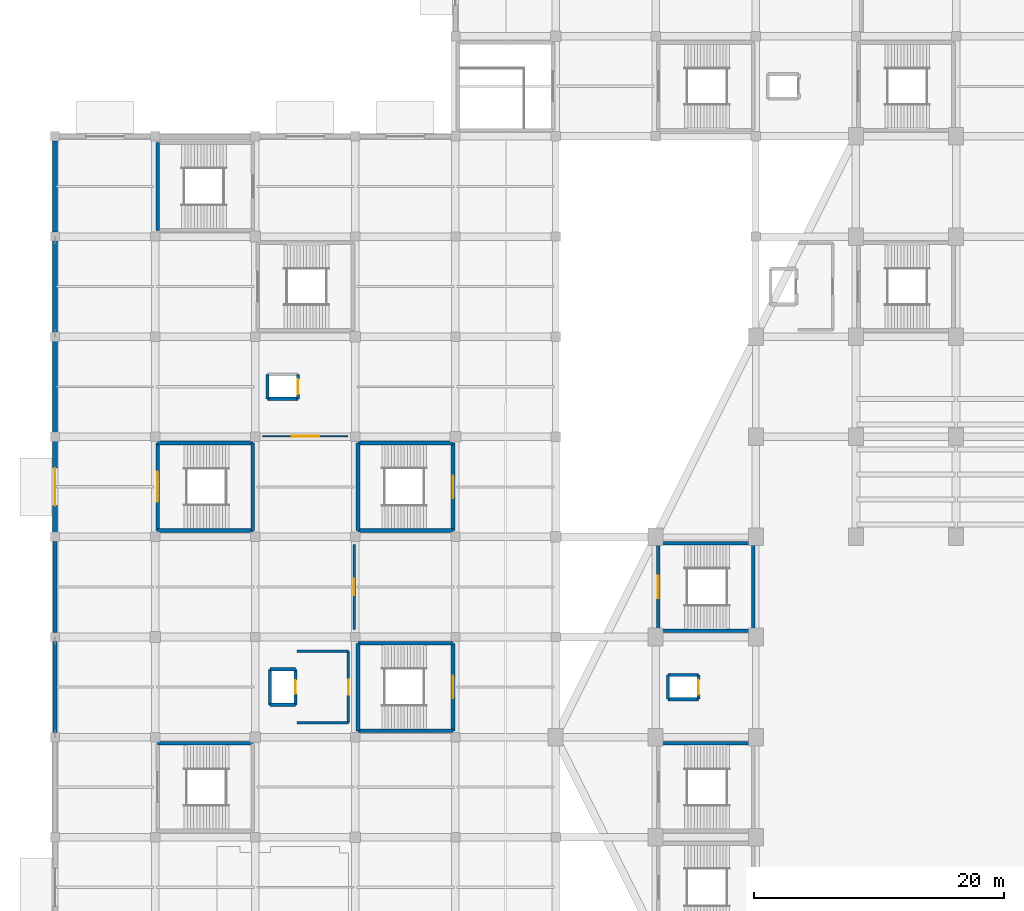
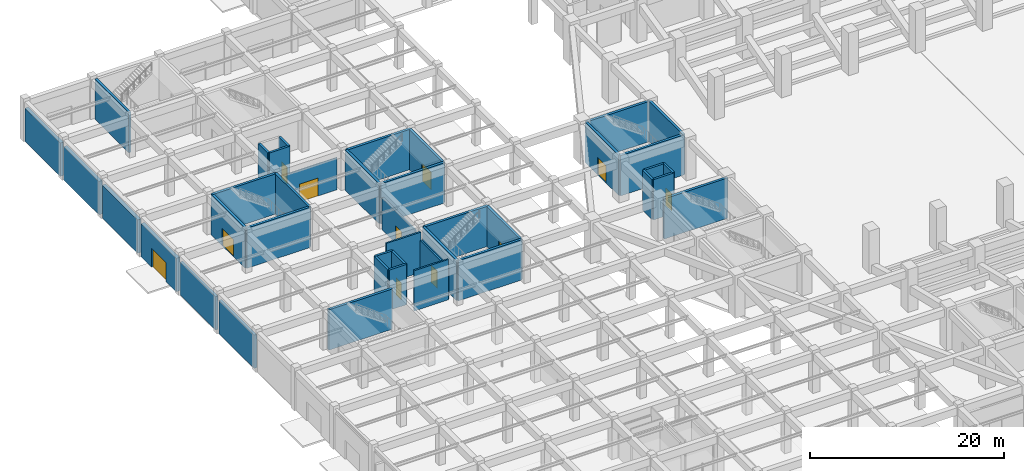
# One storey, part 26 of 39: 41 walls, 11 doors, 11 openings.
"""IFC4 building model written with IfcOpenShell, lengths in metres."""

from ifc_helpers import new_model, si_unit, direction, frame, frame_2d, origin, place, context, subcontext, project, spatial, rectangle, extrude, material, layer, layer_set, type_object, element, fill, save


model = new_model("IFC4")

# Units and contexts
model_context = context("Model", 3, precision=1e-05, world=origin(), true_north=direction((0.0, 1.0)))
body_context = subcontext(model_context, "Body", "Model", "MODEL_VIEW")
ifc_project = project(units=[si_unit("LENGTHUNIT", "METRE"), si_unit("AREAUNIT", "SQUARE_METRE"), si_unit("VOLUMEUNIT", "CUBIC_METRE"), si_unit("PLANEANGLEUNIT", "RADIAN"), si_unit("MASSUNIT", "GRAM", prefix="KILO")], contexts=[model_context])

# Site, building, storey
site_placement = place(None, origin())
site = spatial("IfcSite", under=ifc_project, at=site_placement, CompositionType="ELEMENT")
building_placement = place(site_placement, origin())
building = spatial("IfcBuilding", under=site, at=building_placement, Name="Tazarka Park Arena", CompositionType="ELEMENT")
storey_placement = place(building_placement, origin())
storey = spatial("IfcBuildingStorey", under=building, at=storey_placement, Name="L00", CompositionType="ELEMENT", Elevation=0.0)

# Walls
ifc_material_1 = material(Name="Concrete C40/50", Category="concrete")
ifc_layer_1 = layer(ifc_material_1, 0.300048828125, Name="Concrete C40/50")
ifc_layer_set_1 = layer_set([ifc_layer_1], Name="Concrete C40/50")
wall_type_1 = type_object("IfcWallType", Name="IWAL-CW-S1", PredefinedType="SHEAR", material=ifc_layer_set_1)
for number, where, z_axis, x_axis, name in (
    (1, (8.199951171875, 63.5, 0.0), (0.0, 0.0, 1.0), (1.0, 0.0, 0.0), "SCW-L00-ST01-N"),
    (2, (15.800048828125, 80.5, 0.0), (0.0, 0.0, 1.0), (-1.0, 0.0, 0.0), "SCW-L00-ST02-S"),
):
    element("IfcWall", number, at=place(storey_placement, frame(where, z_axis=z_axis, x_axis=x_axis)), inside=storey, type_object=wall_type_1, Name=name, PredefinedType="SHEAR", context=body_context, shape_type="SweptSolid", body=[
        extrude(rectangle(XDim=7.60009765625, YDim=0.300048828125, at=frame_2d((3.800048828125, 0.0))), origin(), (0.0, 0.0, 1.0), 5.080078125),
    ])

# Wall, opening, door
wall_1_placement = place(storey_placement, frame((8.199951171875, 80.5, 0.0), z_axis=(0.0, 0.0, 1.0), x_axis=(0.0, 1.0, 0.0)))
wall_1 = element("IfcWall", 3, at=wall_1_placement, inside=storey, type_object=wall_type_1, Name="SCW-L00-ST02-W", PredefinedType="SHEAR", context=body_context, shape_type="SweptSolid", body=[
    extrude(rectangle(XDim=7.0, YDim=0.300048828125, at=frame_2d((3.5, 0.0))), origin(), (0.0, 0.0, 1.0), 5.080078125),
])
opening_1_placement = place(wall_1_placement, frame((2.300048828125, 0.0, 0.0)))
opening_1 = element("IfcOpeningElement", 4, at=opening_1_placement, cuts=wall_1, Name="Opening ID-05", PredefinedType="OPENING", context=body_context, shape_type="SweptSolid", body=[
    extrude(rectangle(XDim=2.39990234375, YDim=2.199951171875, at=frame_2d((1.199951171875, 1.10009765625))), frame((0.0, 0.16015625, 0.0), z_axis=(0.0, -1.0, 0.0), x_axis=(1.0, 0.0, 0.0)), (0.0, 0.0, 1.0), 0.320068359375),
])
ifc_material_2 = material(Name="Fire-rated powder-coated steel and acoustic timber", Category="steel")
door_type_1 = type_object("IfcDoorType", Name="IDR-ID-05", OperationType="NOTDEFINED", PredefinedType="DOOR", material=ifc_material_2)
door_1_placement = place(opening_1_placement, origin())
door_1 = element("IfcDoor", 5, at=door_1_placement, inside=storey, type_object=door_type_1, Name="Exit Stair Door ST02-L00", OperationType="DOUBLE_DOOR_SINGLE_SWING", OverallHeight=2.199951171875, OverallWidth=2.39990234375, PredefinedType="DOOR", context=body_context, shape_type="SweptSolid", body=[
    extrude(rectangle(XDim=2.39990234375, YDim=2.199951171875, at=frame_2d((1.199951171875, 1.10009765625))), frame((0.0, 0.02490234375, 0.0), z_axis=(0.0, -1.0, 0.0), x_axis=(1.0, 0.0, 0.0)), (0.0, 0.0, 1.0), 0.050048828125),
])
fill(opening_1, door_1)

# Walls
wall_2_placement = place(storey_placement, frame((8.199951171875, 87.5, 0.0), z_axis=(0.0, 0.0, 1.0), x_axis=(1.0, 0.0, 0.0)))
element("IfcWall", 6, at=wall_2_placement, inside=storey, type_object=wall_type_1, Name="SCW-L00-ST02-N", PredefinedType="SHEAR", context=body_context, shape_type="SweptSolid", body=[
    extrude(rectangle(XDim=7.60009765625, YDim=0.300048828125, at=frame_2d((3.800048828125, 0.0))), origin(), (0.0, 0.0, 1.0), 5.080078125),
])
wall_3_placement = place(storey_placement, frame((15.800048828125, 87.5, 0.0), z_axis=(0.0, 0.0, 1.0), x_axis=(0.0, -1.0, 0.0)))
element("IfcWall", 7, at=wall_3_placement, inside=storey, type_object=wall_type_1, Name="SCW-L00-ST02-E", PredefinedType="SHEAR", context=body_context, shape_type="SweptSolid", body=[
    extrude(rectangle(XDim=7.0, YDim=0.300048828125, at=frame_2d((3.5, 0.0))), origin(), (0.0, 0.0, 1.0), 5.080078125),
])
for number, where, z_axis, x_axis, name in (
    (8, (48.199951171875, 63.5, 0.0), (0.0, 0.0, 1.0), (1.0, 0.0, 0.0), "SCW-L00-ST13-N"),
    (9, (55.800048828125, 72.5, 0.0), (0.0, 0.0, 1.0), (-1.0, 0.0, 0.0), "SCW-L00-ST20-S"),
):
    element("IfcWall", number, at=place(storey_placement, frame(where, z_axis=z_axis, x_axis=x_axis)), inside=storey, type_object=wall_type_1, Name=name, PredefinedType="SHEAR", context=body_context, shape_type="SweptSolid", body=[
        extrude(rectangle(XDim=7.60009765625, YDim=0.300048828125, at=frame_2d((3.800048828125, 0.0))), origin(), (0.0, 0.0, 1.0), 5.080078125),
    ])

# Wall, opening, door
wall_4_placement = place(storey_placement, frame((48.199951171875, 72.5, 0.0), z_axis=(0.0, 0.0, 1.0), x_axis=(0.0, 1.0, 0.0)))
wall_4 = element("IfcWall", 10, at=wall_4_placement, inside=storey, type_object=wall_type_1, Name="SCW-L00-ST20-W", PredefinedType="SHEAR", context=body_context, shape_type="SweptSolid", body=[
    extrude(rectangle(XDim=7.0, YDim=0.300048828125, at=frame_2d((3.5, 0.0))), origin(), (0.0, 0.0, 1.0), 5.080078125),
])
opening_2_placement = place(wall_4_placement, frame((2.60009765625, 0.0, 0.0)))
opening_2 = element("IfcOpeningElement", 11, at=opening_2_placement, cuts=wall_4, Name="Opening ID-04", PredefinedType="OPENING", context=body_context, shape_type="SweptSolid", body=[
    extrude(rectangle(XDim=1.800048828125, YDim=2.199951171875, at=frame_2d((0.89990234375, 1.10009765625))), frame((0.0, 0.16015625, 0.0), z_axis=(0.0, -1.0, 0.0), x_axis=(1.0, 0.0, 0.0)), (0.0, 0.0, 1.0), 0.320068359375),
])
ifc_material_3 = material(Name="Fire-rated powder-coated steel and acoustic timber", Category="steel")
door_type_2 = type_object("IfcDoorType", Name="IDR-ID-04", OperationType="NOTDEFINED", PredefinedType="DOOR", material=ifc_material_3)
door_2_placement = place(opening_2_placement, origin())
door_2 = element("IfcDoor", 12, at=door_2_placement, inside=storey, type_object=door_type_2, Name="Vomitory Stair Door ST20-L00", OperationType="DOUBLE_DOOR_SINGLE_SWING", OverallHeight=2.199951171875, OverallWidth=1.800048828125, PredefinedType="DOOR", context=body_context, shape_type="SweptSolid", body=[
    extrude(rectangle(XDim=1.800048828125, YDim=2.199951171875, at=frame_2d((0.89990234375, 1.10009765625))), frame((0.0, 0.02490234375, 0.0), z_axis=(0.0, -1.0, 0.0), x_axis=(1.0, 0.0, 0.0)), (0.0, 0.0, 1.0), 0.050048828125),
])
fill(opening_2, door_2)

# Walls
wall_5_placement = place(storey_placement, frame((48.199951171875, 79.5, 0.0), z_axis=(0.0, 0.0, 1.0), x_axis=(1.0, 0.0, 0.0)))
element("IfcWall", 13, at=wall_5_placement, inside=storey, type_object=wall_type_1, Name="SCW-L00-ST20-N", PredefinedType="SHEAR", context=body_context, shape_type="SweptSolid", body=[
    extrude(rectangle(XDim=7.60009765625, YDim=0.300048828125, at=frame_2d((3.800048828125, 0.0))), origin(), (0.0, 0.0, 1.0), 5.080078125),
])
wall_6_placement = place(storey_placement, frame((55.800048828125, 79.5, 0.0), z_axis=(0.0, 0.0, 1.0), x_axis=(0.0, -1.0, 0.0)))
element("IfcWall", 14, at=wall_6_placement, inside=storey, type_object=wall_type_1, Name="SCW-L00-ST20-E", PredefinedType="SHEAR", context=body_context, shape_type="SweptSolid", body=[
    extrude(rectangle(XDim=7.0, YDim=0.300048828125, at=frame_2d((3.5, 0.0))), origin(), (0.0, 0.0, 1.0), 5.080078125),
])
wall_7_placement = place(storey_placement, frame((31.800048828125, 64.5, 0.0), z_axis=(0.0, 0.0, 1.0), x_axis=(-1.0, 0.0, 0.0)))
element("IfcWall", 15, at=wall_7_placement, inside=storey, type_object=wall_type_1, Name="SCW-L00-ST24-S", PredefinedType="SHEAR", context=body_context, shape_type="SweptSolid", body=[
    extrude(rectangle(XDim=7.60009765625, YDim=0.300048828125, at=frame_2d((3.800048828125, 0.0))), origin(), (0.0, 0.0, 1.0), 5.080078125),
])
wall_8_placement = place(storey_placement, frame((24.199951171875, 64.5, 0.0), z_axis=(0.0, 0.0, 1.0), x_axis=(0.0, 1.0, 0.0)))
element("IfcWall", 16, at=wall_8_placement, inside=storey, type_object=wall_type_1, Name="SCW-L00-ST24-W", PredefinedType="SHEAR", context=body_context, shape_type="SweptSolid", body=[
    extrude(rectangle(XDim=7.0, YDim=0.300048828125, at=frame_2d((3.5, 0.0))), origin(), (0.0, 0.0, 1.0), 5.080078125),
])
wall_9_placement = place(storey_placement, frame((24.199951171875, 71.5, 0.0), z_axis=(0.0, 0.0, 1.0), x_axis=(1.0, 0.0, 0.0)))
element("IfcWall", 17, at=wall_9_placement, inside=storey, type_object=wall_type_1, Name="SCW-L00-ST24-N", PredefinedType="SHEAR", context=body_context, shape_type="SweptSolid", body=[
    extrude(rectangle(XDim=7.60009765625, YDim=0.300048828125, at=frame_2d((3.800048828125, 0.0))), origin(), (0.0, 0.0, 1.0), 5.080078125),
])

# Wall, opening, door
wall_10_placement = place(storey_placement, frame((31.800048828125, 71.5, 0.0), z_axis=(0.0, 0.0, 1.0), x_axis=(0.0, -1.0, 0.0)))
wall_10 = element("IfcWall", 18, at=wall_10_placement, inside=storey, type_object=wall_type_1, Name="SCW-L00-ST24-E", PredefinedType="SHEAR", context=body_context, shape_type="SweptSolid", body=[
    extrude(rectangle(XDim=7.0, YDim=0.300048828125, at=frame_2d((3.5, 0.0))), origin(), (0.0, 0.0, 1.0), 5.080078125),
])
opening_3_placement = place(wall_10_placement, frame((2.60009765625, 0.0, 0.0)))
opening_3 = element("IfcOpeningElement", 19, at=opening_3_placement, cuts=wall_10, Name="Opening ID-04", PredefinedType="OPENING", context=body_context, shape_type="SweptSolid", body=[
    extrude(rectangle(XDim=1.800048828125, YDim=2.199951171875, at=frame_2d((0.89990234375, 1.10009765625))), frame((0.0, 0.16015625, 0.0), z_axis=(0.0, -1.0, 0.0), x_axis=(1.0, 0.0, 0.0)), (0.0, 0.0, 1.0), 0.320068359375),
])
door_3_placement = place(opening_3_placement, origin())
door_3 = element("IfcDoor", 20, at=door_3_placement, inside=storey, type_object=door_type_2, Name="Vomitory Stair Door ST24-L00", OperationType="DOUBLE_DOOR_SINGLE_SWING", OverallHeight=2.199951171875, OverallWidth=1.800048828125, PredefinedType="DOOR", context=body_context, shape_type="SweptSolid", body=[
    extrude(rectangle(XDim=1.800048828125, YDim=2.199951171875, at=frame_2d((0.89990234375, 1.10009765625))), frame((0.0, 0.02490234375, 0.0), z_axis=(0.0, -1.0, 0.0), x_axis=(1.0, 0.0, 0.0)), (0.0, 0.0, 1.0), 0.050048828125),
])
fill(opening_3, door_3)

# Walls
wall_11_placement = place(storey_placement, frame((8.199951171875, 104.5, 0.0), z_axis=(0.0, 0.0, 1.0), x_axis=(0.0, 1.0, 0.0)))
element("IfcWall", 21, at=wall_11_placement, inside=storey, type_object=wall_type_1, Name="SCW-L00-ST25-W", PredefinedType="SHEAR", context=body_context, shape_type="SweptSolid", body=[
    extrude(rectangle(XDim=7.0, YDim=0.300048828125, at=frame_2d((3.5, 0.0))), origin(), (0.0, 0.0, 1.0), 5.080078125),
])
wall_12_placement = place(storey_placement, frame((31.800048828125, 80.5, 0.0), z_axis=(0.0, 0.0, 1.0), x_axis=(-1.0, 0.0, 0.0)))
element("IfcWall", 22, at=wall_12_placement, inside=storey, type_object=wall_type_1, Name="SCW-L00-ST26-S", PredefinedType="SHEAR", context=body_context, shape_type="SweptSolid", body=[
    extrude(rectangle(XDim=7.60009765625, YDim=0.300048828125, at=frame_2d((3.800048828125, 0.0))), origin(), (0.0, 0.0, 1.0), 5.080078125),
])
wall_13_placement = place(storey_placement, frame((24.199951171875, 80.5, 0.0), z_axis=(0.0, 0.0, 1.0), x_axis=(0.0, 1.0, 0.0)))
element("IfcWall", 23, at=wall_13_placement, inside=storey, type_object=wall_type_1, Name="SCW-L00-ST26-W", PredefinedType="SHEAR", context=body_context, shape_type="SweptSolid", body=[
    extrude(rectangle(XDim=7.0, YDim=0.300048828125, at=frame_2d((3.5, 0.0))), origin(), (0.0, 0.0, 1.0), 5.080078125),
])
wall_14_placement = place(storey_placement, frame((24.199951171875, 87.5, 0.0), z_axis=(0.0, 0.0, 1.0), x_axis=(1.0, 0.0, 0.0)))
element("IfcWall", 24, at=wall_14_placement, inside=storey, type_object=wall_type_1, Name="SCW-L00-ST26-N", PredefinedType="SHEAR", context=body_context, shape_type="SweptSolid", body=[
    extrude(rectangle(XDim=7.60009765625, YDim=0.300048828125, at=frame_2d((3.800048828125, 0.0))), origin(), (0.0, 0.0, 1.0), 5.080078125),
])

# Wall, opening, door
wall_15_placement = place(storey_placement, frame((31.800048828125, 87.5, 0.0), z_axis=(0.0, 0.0, 1.0), x_axis=(0.0, -1.0, 0.0)))
wall_15 = element("IfcWall", 25, at=wall_15_placement, inside=storey, type_object=wall_type_1, Name="SCW-L00-ST26-E", PredefinedType="SHEAR", context=body_context, shape_type="SweptSolid", body=[
    extrude(rectangle(XDim=7.0, YDim=0.300048828125, at=frame_2d((3.5, 0.0))), origin(), (0.0, 0.0, 1.0), 5.080078125),
])
opening_4_placement = place(wall_15_placement, frame((2.60009765625, 0.0, 0.0)))
opening_4 = element("IfcOpeningElement", 26, at=opening_4_placement, cuts=wall_15, Name="Opening ID-04", PredefinedType="OPENING", context=body_context, shape_type="SweptSolid", body=[
    extrude(rectangle(XDim=1.800048828125, YDim=2.199951171875, at=frame_2d((0.89990234375, 1.10009765625))), frame((0.0, 0.16015625, 0.0), z_axis=(0.0, -1.0, 0.0), x_axis=(1.0, 0.0, 0.0)), (0.0, 0.0, 1.0), 0.320068359375),
])
door_4_placement = place(opening_4_placement, origin())
door_4 = element("IfcDoor", 27, at=door_4_placement, inside=storey, type_object=door_type_2, Name="Vomitory Stair Door ST26-L00", OperationType="DOUBLE_DOOR_SINGLE_SWING", OverallHeight=2.199951171875, OverallWidth=1.800048828125, PredefinedType="DOOR", context=body_context, shape_type="SweptSolid", body=[
    extrude(rectangle(XDim=1.800048828125, YDim=2.199951171875, at=frame_2d((0.89990234375, 1.10009765625))), frame((0.0, 0.02490234375, 0.0), z_axis=(0.0, -1.0, 0.0), x_axis=(1.0, 0.0, 0.0)), (0.0, 0.0, 1.0), 0.050048828125),
])
fill(opening_4, door_4)

# Walls
ifc_material_4 = material(Name="Concrete C40/50", Category="concrete")
ifc_layer_2 = layer(ifc_material_4, 0.260009765625, Name="Concrete C40/50")
ifc_layer_set_2 = layer_set([ifc_layer_2], Name="Concrete C40/50")
wall_type_2 = type_object("IfcWallType", Name="IWAL-CW-S3", PredefinedType="SHEAR", material=ifc_layer_set_2)
wall_16_placement = place(storey_placement, frame((17.179931640625, 66.580078125, 0.0), z_axis=(0.0, 0.0, 1.0), x_axis=(0.0, 1.0, 0.0)))
element("IfcWall", 28, at=wall_16_placement, inside=storey, type_object=wall_type_2, Name="LSW-L00-LF-01-W", PredefinedType="SHEAR", context=body_context, shape_type="SweptSolid", body=[
    extrude(rectangle(XDim=2.83984375, YDim=0.260009765625, at=frame_2d((1.419921875, 0.0))), origin(), (0.0, 0.0, 1.0), 5.080078125),
])
for number, where, z_axis, x_axis, name in (
    (29, (17.179931640625, 69.419921875, 0.0), (0.0, 0.0, 1.0), (1.0, 0.0, 0.0), "LSW-L00-LF-01-N"),
    (30, (19.219970703125, 66.580078125, 0.0), (0.0, 0.0, 1.0), (-1.0, 0.0, 0.0), "LSW-L00-LF-01-S"),
):
    element("IfcWall", number, at=place(storey_placement, frame(where, z_axis=z_axis, x_axis=x_axis)), inside=storey, type_object=wall_type_2, Name=name, PredefinedType="SHEAR", context=body_context, shape_type="SweptSolid", body=[
        extrude(rectangle(XDim=2.0400390625, YDim=0.260009765625, at=frame_2d((1.02001953125, 0.0))), origin(), (0.0, 0.0, 1.0), 5.080078125),
    ])

# Wall, opening, door
wall_17_placement = place(storey_placement, frame((19.219970703125, 69.419921875, 0.0), z_axis=(0.0, 0.0, 1.0), x_axis=(0.0, -1.0, 0.0)))
wall_17 = element("IfcWall", 31, at=wall_17_placement, inside=storey, type_object=wall_type_2, Name="LSW-L00-LF-01-E", PredefinedType="SHEAR", context=body_context, shape_type="SweptSolid", body=[
    extrude(rectangle(XDim=2.83984375, YDim=0.260009765625, at=frame_2d((1.419921875, 0.0))), origin(), (0.0, 0.0, 1.0), 5.080078125),
])
opening_5_placement = place(wall_17_placement, frame((0.8701171875, 0.0, 0.0)))
opening_5 = element("IfcOpeningElement", 32, at=opening_5_placement, cuts=wall_17, Name="Opening LD-01", PredefinedType="OPENING", context=body_context, shape_type="SweptSolid", body=[
    extrude(rectangle(XDim=1.10009765625, YDim=2.14990234375, at=frame_2d((0.550048828125, 1.074951171875))), frame((0.0, 0.14013671875, 0.0), z_axis=(0.0, -1.0, 0.0), x_axis=(1.0, 0.0, 0.0)), (0.0, 0.0, 1.0), 0.280029296875),
])
ifc_material_5 = material(Name="Fire-rated powder-coated steel and acoustic timber", Category="steel")
door_type_3 = type_object("IfcDoorType", Name="IDR-LD-01", OperationType="NOTDEFINED", PredefinedType="DOOR", material=ifc_material_5)
door_5_placement = place(opening_5_placement, origin())
door_5 = element("IfcDoor", 33, at=door_5_placement, inside=storey, type_object=door_type_3, Name="Lift Landing Door LF-01-L00", OperationType="SLIDING_TO_LEFT", OverallHeight=2.14990234375, OverallWidth=1.10009765625, PredefinedType="DOOR", context=body_context, shape_type="SweptSolid", body=[
    extrude(rectangle(XDim=1.10009765625, YDim=2.14990234375, at=frame_2d((0.550048828125, 1.074951171875))), frame((0.0, 0.02490234375, 0.0), z_axis=(0.0, -1.0, 0.0), x_axis=(1.0, 0.0, 0.0)), (0.0, 0.0, 1.0), 0.050048828125),
])
fill(opening_5, door_5)

# Walls
wall_18_placement = place(storey_placement, frame((16.97998046875, 91.030029296875, 0.0), z_axis=(0.0, 0.0, 1.0), x_axis=(0.0, 1.0, 0.0)))
element("IfcWall", 34, at=wall_18_placement, inside=storey, type_object=wall_type_2, Name="LSW-L00-LF-06-W", PredefinedType="SHEAR", context=body_context, shape_type="SweptSolid", body=[
    extrude(rectangle(XDim=1.93994140625, YDim=0.260009765625, at=frame_2d((0.969970703125, 0.0))), origin(), (0.0, 0.0, 1.0), 5.080078125),
])
wall_19_placement = place(storey_placement, frame((19.419921875, 91.030029296875, 0.0), z_axis=(0.0, 0.0, 1.0), x_axis=(-1.0, 0.0, 0.0)))
element("IfcWall", 35, at=wall_19_placement, inside=storey, type_object=wall_type_2, Name="LSW-L00-LF-06-S", PredefinedType="SHEAR", context=body_context, shape_type="SweptSolid", body=[
    extrude(rectangle(XDim=2.43994140625, YDim=0.260009765625, at=frame_2d((1.219970703125, 0.0))), origin(), (0.0, 0.0, 1.0), 5.080078125),
])

# Wall, opening, door
wall_20_placement = place(storey_placement, frame((19.419921875, 92.969970703125, 0.0), z_axis=(0.0, 0.0, 1.0), x_axis=(0.0, -1.0, 0.0)))
wall_20 = element("IfcWall", 36, at=wall_20_placement, inside=storey, type_object=wall_type_2, Name="LSW-L00-LF-06-E", PredefinedType="SHEAR", context=body_context, shape_type="SweptSolid", body=[
    extrude(rectangle(XDim=1.93994140625, YDim=0.260009765625, at=frame_2d((0.969970703125, 0.0))), origin(), (0.0, 0.0, 1.0), 5.080078125),
])
opening_6_placement = place(wall_20_placement, frame((0.3701171875, 0.0, 0.0)))
opening_6 = element("IfcOpeningElement", 37, at=opening_6_placement, cuts=wall_20, Name="Opening LD-02", PredefinedType="OPENING", context=body_context, shape_type="SweptSolid", body=[
    extrude(rectangle(XDim=1.199951171875, YDim=2.14990234375, at=frame_2d((0.60009765625, 1.074951171875))), frame((0.0, 0.14013671875, 0.0), z_axis=(0.0, -1.0, 0.0), x_axis=(1.0, 0.0, 0.0)), (0.0, 0.0, 1.0), 0.280029296875),
])
ifc_material_6 = material(Name="Fire-rated powder-coated steel and acoustic timber", Category="steel")
door_type_4 = type_object("IfcDoorType", Name="IDR-LD-02", OperationType="NOTDEFINED", PredefinedType="DOOR", material=ifc_material_6)
door_6_placement = place(opening_6_placement, origin())
door_6 = element("IfcDoor", 38, at=door_6_placement, inside=storey, type_object=door_type_4, Name="Lift Landing Door LF-06-L00", OperationType="SLIDING_TO_LEFT", OverallHeight=2.14990234375, OverallWidth=1.199951171875, PredefinedType="DOOR", context=body_context, shape_type="SweptSolid", body=[
    extrude(rectangle(XDim=1.199951171875, YDim=2.14990234375, at=frame_2d((0.60009765625, 1.074951171875))), frame((0.0, 0.02490234375, 0.0), z_axis=(0.0, -1.0, 0.0), x_axis=(1.0, 0.0, 0.0)), (0.0, 0.0, 1.0), 0.050048828125),
])
fill(opening_6, door_6)

# Walls
wall_21_placement = place(storey_placement, frame((48.97998046875, 67.030029296875, 0.0), z_axis=(0.0, 0.0, 1.0), x_axis=(0.0, 1.0, 0.0)))
element("IfcWall", 39, at=wall_21_placement, inside=storey, type_object=wall_type_2, Name="LSW-L00-LF-09-W", PredefinedType="SHEAR", context=body_context, shape_type="SweptSolid", body=[
    extrude(rectangle(XDim=1.93994140625, YDim=0.260009765625, at=frame_2d((0.969970703125, 0.0))), origin(), (0.0, 0.0, 1.0), 5.080078125),
])
for number, where, z_axis, x_axis, name in (
    (40, (48.97998046875, 68.969970703125, 0.0), (0.0, 0.0, 1.0), (1.0, 0.0, 0.0), "LSW-L00-LF-09-N"),
    (41, (51.419921875, 67.030029296875, 0.0), (0.0, 0.0, 1.0), (-1.0, 0.0, 0.0), "LSW-L00-LF-09-S"),
):
    element("IfcWall", number, at=place(storey_placement, frame(where, z_axis=z_axis, x_axis=x_axis)), inside=storey, type_object=wall_type_2, Name=name, PredefinedType="SHEAR", context=body_context, shape_type="SweptSolid", body=[
        extrude(rectangle(XDim=2.43994140625, YDim=0.260009765625, at=frame_2d((1.219970703125, 0.0))), origin(), (0.0, 0.0, 1.0), 5.080078125),
    ])

# Wall, opening, door
wall_22_placement = place(storey_placement, frame((51.419921875, 68.969970703125, 0.0), z_axis=(0.0, 0.0, 1.0), x_axis=(0.0, -1.0, 0.0)))
wall_22 = element("IfcWall", 42, at=wall_22_placement, inside=storey, type_object=wall_type_2, Name="LSW-L00-LF-09-E", PredefinedType="SHEAR", context=body_context, shape_type="SweptSolid", body=[
    extrude(rectangle(XDim=1.93994140625, YDim=0.260009765625, at=frame_2d((0.969970703125, 0.0))), origin(), (0.0, 0.0, 1.0), 5.080078125),
])
opening_7_placement = place(wall_22_placement, frame((0.3701171875, 0.0, 0.0)))
opening_7 = element("IfcOpeningElement", 43, at=opening_7_placement, cuts=wall_22, Name="Opening LD-02", PredefinedType="OPENING", context=body_context, shape_type="SweptSolid", body=[
    extrude(rectangle(XDim=1.199951171875, YDim=2.14990234375, at=frame_2d((0.60009765625, 1.074951171875))), frame((0.0, 0.14013671875, 0.0), z_axis=(0.0, -1.0, 0.0), x_axis=(1.0, 0.0, 0.0)), (0.0, 0.0, 1.0), 0.280029296875),
])
door_7_placement = place(opening_7_placement, origin())
door_7 = element("IfcDoor", 44, at=door_7_placement, inside=storey, type_object=door_type_4, Name="Lift Landing Door LF-09-L00", OperationType="SLIDING_TO_LEFT", OverallHeight=2.14990234375, OverallWidth=1.199951171875, PredefinedType="DOOR", context=body_context, shape_type="SweptSolid", body=[
    extrude(rectangle(XDim=1.199951171875, YDim=2.14990234375, at=frame_2d((0.60009765625, 1.074951171875))), frame((0.0, 0.02490234375, 0.0), z_axis=(0.0, -1.0, 0.0), x_axis=(1.0, 0.0, 0.0)), (0.0, 0.0, 1.0), 0.050048828125),
])
fill(opening_7, door_7)

# Walls
ifc_material_7 = material(Name="Reinforced masonry compartment wall", Category="masonry")
ifc_layer_3 = layer(ifc_material_7, 0.199951171875, Name="Reinforced masonry compartment wall")
ifc_layer_set_3 = layer_set([ifc_layer_3], Name="Reinforced masonry compartment wall")
wall_type_3 = type_object("IfcWallType", Name="IWAL-PT-04", PredefinedType="PARTITIONING", material=ifc_layer_set_3)
for number, where, z_axis, x_axis, name in (
    (45, (19.35009765625, 70.85009765625, 0.0), (0.0, 0.0, 1.0), (1.0, 0.0, 0.0), "FFW-L00-LF-01-N"),
    (46, (23.449951171875, 65.14990234375, 0.0), (0.0, 0.0, 1.0), (-1.0, 0.0, 0.0), "FFW-L00-LF-01-S"),
):
    element("IfcWall", number, at=place(storey_placement, frame(where, z_axis=z_axis, x_axis=x_axis)), inside=storey, type_object=wall_type_3, Name=name, PredefinedType="PARTITIONING", context=body_context, shape_type="SweptSolid", body=[
        extrude(rectangle(XDim=4.099853515625, YDim=0.199951171875, at=frame_2d((2.0498046875, 0.0))), origin(), (0.0, 0.0, 1.0), 5.080078125),
    ])

# Wall, opening, door
wall_23_placement = place(storey_placement, frame((23.449951171875, 70.85009765625, 0.0), z_axis=(0.0, 0.0, 1.0), x_axis=(0.0, -1.0, 0.0)))
wall_23 = element("IfcWall", 47, at=wall_23_placement, inside=storey, type_object=wall_type_3, Name="FFW-L00-LF-01-E", PredefinedType="PARTITIONING", context=body_context, shape_type="SweptSolid", body=[
    extrude(rectangle(XDim=5.7001953125, YDim=0.199951171875, at=frame_2d((2.85009765625, 0.0))), origin(), (0.0, 0.0, 1.0), 4.050048828125),
])
opening_8_placement = place(wall_23_placement, frame((2.25, 0.0, 0.0)))
opening_8 = element("IfcOpeningElement", 48, at=opening_8_placement, cuts=wall_23, Name="Opening ID-03", PredefinedType="OPENING", context=body_context, shape_type="SweptSolid", body=[
    extrude(rectangle(XDim=1.199951171875, YDim=2.199951171875, at=frame_2d((0.60009765625, 1.10009765625))), frame((0.0, 0.10986328125, 0.0), z_axis=(0.0, -1.0, 0.0), x_axis=(1.0, 0.0, 0.0)), (0.0, 0.0, 1.0), 0.219970703125),
])
ifc_material_8 = material(Name="Fire-rated powder-coated steel and acoustic timber", Category="steel")
door_type_5 = type_object("IfcDoorType", Name="IDR-ID-03", OperationType="NOTDEFINED", PredefinedType="DOOR", material=ifc_material_8)
door_8_placement = place(opening_8_placement, origin())
door_8 = element("IfcDoor", 49, at=door_8_placement, inside=storey, type_object=door_type_5, Name="Firefighting Lobby Door LF-01-L00", OperationType="SINGLE_SWING_RIGHT", OverallHeight=2.199951171875, OverallWidth=1.199951171875, PredefinedType="DOOR", context=body_context, shape_type="SweptSolid", body=[
    extrude(rectangle(XDim=1.199951171875, YDim=2.199951171875, at=frame_2d((0.60009765625, 1.10009765625))), frame((0.0, 0.02490234375, 0.0), z_axis=(0.0, -1.0, 0.0), x_axis=(1.0, 0.0, 0.0)), (0.0, 0.0, 1.0), 0.050048828125),
])
fill(opening_8, door_8)

ifc_material_9 = material(Name="Heavy acoustic masonry partition", Category="masonry")
ifc_layer_4 = layer(ifc_material_9, 0.2099609375, Name="Heavy acoustic masonry partition")
ifc_layer_set_4 = layer_set([ifc_layer_4], Name="Heavy acoustic masonry partition")
wall_type_4 = type_object("IfcWallType", Name="IWAL-PT-12", PredefinedType="PARTITIONING", material=ifc_layer_set_4)
wall_24_placement = place(storey_placement, frame((23.89990234375, 79.388916015625, 0.0), z_axis=(0.0, 0.0, 1.0), x_axis=(0.0, -1.0, 0.0)))
wall_24 = element("IfcWall", 50, at=wall_24_placement, inside=storey, type_object=wall_type_4, Name="PRT-L00-010", PredefinedType="PARTITIONING", context=body_context, shape_type="SweptSolid", body=[
    extrude(rectangle(XDim=6.77783203125, YDim=0.2099609375, at=frame_2d((3.388916015625, 0.0))), origin(), (0.0, 0.0, 1.0), 4.050048828125),
])
opening_9_placement = place(wall_24_placement, frame((2.73876953125, 0.0, 0.0)))
opening_9 = element("IfcOpeningElement", 51, at=opening_9_placement, cuts=wall_24, Name="Opening ID-11", PredefinedType="OPENING", context=body_context, shape_type="SweptSolid", body=[
    extrude(rectangle(XDim=1.300048828125, YDim=2.199951171875, at=frame_2d((0.64990234375, 1.10009765625))), frame((0.0, 0.114990234375, 0.0), z_axis=(0.0, -1.0, 0.0), x_axis=(1.0, 0.0, 0.0)), (0.0, 0.0, 1.0), 0.22998046875),
])
ifc_material_10 = material(Name="Fire-rated powder-coated steel and acoustic timber", Category="steel")
door_type_6 = type_object("IfcDoorType", Name="IDR-ID-11", OperationType="NOTDEFINED", PredefinedType="DOOR", material=ifc_material_10)
door_9_placement = place(opening_9_placement, origin())
door_9 = element("IfcDoor", 52, at=door_9_placement, inside=storey, type_object=door_type_6, Name="Room Door Arena Merchandise Shop", OperationType="SINGLE_SWING_RIGHT", OverallHeight=2.199951171875, OverallWidth=1.300048828125, PredefinedType="DOOR", context=body_context, shape_type="SweptSolid", body=[
    extrude(rectangle(XDim=1.300048828125, YDim=2.199951171875, at=frame_2d((0.64990234375, 1.10009765625))), frame((0.0, 0.02490234375, 0.0), z_axis=(0.0, -1.0, 0.0), x_axis=(1.0, 0.0, 0.0)), (0.0, 0.0, 1.0), 0.050048828125),
])
fill(opening_9, door_9)

ifc_material_11 = material(Name="Light metal-stud partition")
ifc_layer_5 = layer(ifc_material_11, 0.114990234375, Name="Light metal-stud partition")
ifc_layer_set_5 = layer_set([ifc_layer_5], Name="Light metal-stud partition")
wall_type_5 = type_object("IfcWallType", Name="IWAL-PT-15", PredefinedType="PARTITIONING", material=ifc_layer_set_5)
wall_25_placement = place(storey_placement, frame((23.382080078125, 88.0400390625, 0.0), z_axis=(0.0, 0.0, 1.0), x_axis=(-0.999999999349, -3.6093265e-05, 0.0)))
wall_25 = element("IfcWall", 53, at=wall_25_placement, inside=storey, type_object=wall_type_5, Name="PRT-L00-013", PredefinedType="PARTITIONING", context=body_context, shape_type="SweptSolid", body=[
    extrude(rectangle(XDim=6.76416015625, YDim=0.114990234375, at=frame_2d((3.382080078125, 0.0))), origin(), (0.0, 0.0, 1.0), 4.050048828125),
])
opening_10_placement = place(wall_25_placement, frame((2.281982421875, 0.0, 0.0)))
opening_10 = element("IfcOpeningElement", 54, at=opening_10_placement, cuts=wall_25, Name="Opening ID-14", PredefinedType="OPENING", context=body_context, shape_type="SweptSolid", body=[
    extrude(rectangle(XDim=2.199951171875, YDim=2.25, at=frame_2d((1.10009765625, 1.125))), frame((0.0, 0.0673828125, 0.0), z_axis=(0.0, -1.0, 0.0), x_axis=(1.0, 0.0, 0.0)), (0.0, 0.0, 1.0), 0.135009765625),
])
ifc_material_12 = material(Name="Fire-rated powder-coated steel and acoustic timber", Category="steel")
door_type_7 = type_object("IfcDoorType", Name="IDR-ID-14", OperationType="NOTDEFINED", PredefinedType="DOOR", material=ifc_material_12)
door_10_placement = place(opening_10_placement, origin())
door_10 = element("IfcDoor", 55, at=door_10_placement, inside=storey, type_object=door_type_7, Name="Room Door Accredited Media Mixed Zone and Press Interview Hall", OperationType="DOUBLE_DOOR_SINGLE_SWING", OverallHeight=2.25, OverallWidth=2.199951171875, PredefinedType="DOOR", context=body_context, shape_type="SweptSolid", body=[
    extrude(rectangle(XDim=2.199951171875, YDim=2.25, at=frame_2d((1.10009765625, 1.125))), frame((0.0, 0.02490234375, 0.0), z_axis=(0.0, -1.0, 0.0), x_axis=(1.0, 0.0, 0.0)), (0.0, 0.0, 1.0), 0.050048828125),
])
fill(opening_10, door_10)

# Walls
ifc_material_13 = material(Name="Precast concrete C40/50", Category="concrete")
ifc_layer_6 = layer(ifc_material_13, 0.300048828125, Name="Precast concrete C40/50")
ifc_layer_set_6 = layer_set([ifc_layer_6], Name="Precast concrete C40/50")
wall_type_6 = type_object("IfcWallType", Name="WAL-EW-01", PredefinedType="SOLIDWALL", material=ifc_layer_set_6)
wall_26_placement = place(storey_placement, frame((0.0, 72.35498046875, 0.0), z_axis=(0.0, 0.0, 1.0), x_axis=(0.0, 1.0, 0.0)))
element("IfcWall", 56, at=wall_26_placement, inside=storey, type_object=wall_type_6, Name="EW-L00-0128", PredefinedType="SOLIDWALL", context=body_context, shape_type="SweptSolid", body=[
    extrude(rectangle(XDim=7.2900390625, YDim=0.300048828125, at=frame_2d((3.64501953125, 0.0))), origin(), (0.0, 0.0, 1.0), 4.199951171875),
])
ifc_material_14 = material(Name="Precast concrete C40/50", Category="concrete")
ifc_layer_7 = layer(ifc_material_14, 0.320068359375, Name="Precast concrete C40/50")
ifc_layer_set_7 = layer_set([ifc_layer_7], Name="Precast concrete C40/50")
wall_type_7 = type_object("IfcWallType", Name="WAL-EW-02", PredefinedType="SOLIDWALL", material=ifc_layer_set_7)
wall_27_placement = place(storey_placement, frame((0.0, 64.35498046875, 0.0), z_axis=(0.0, 0.0, 1.0), x_axis=(0.0, 1.0, 0.0)))
element("IfcWall", 57, at=wall_27_placement, inside=storey, type_object=wall_type_7, Name="EW-L00-0129", PredefinedType="SOLIDWALL", context=body_context, shape_type="SweptSolid", body=[
    extrude(rectangle(XDim=7.2900390625, YDim=0.320068359375, at=frame_2d((3.64501953125, 0.0))), origin(), (0.0, 0.0, 1.0), 4.199951171875),
])
ifc_material_15 = material(Name="Concrete C50/60", Category="concrete")
ifc_layer_8 = layer(ifc_material_15, 0.389892578125, Name="Concrete C50/60")
ifc_layer_set_8 = layer_set([ifc_layer_8], Name="Concrete C50/60")
wall_type_8 = type_object("IfcWallType", Name="WAL-EW-13", PredefinedType="SOLIDWALL", material=ifc_layer_set_8)
wall_28_placement = place(storey_placement, frame((0.0, 104.35498046875, 0.0), z_axis=(0.0, 0.0, 1.0), x_axis=(0.0, 1.0, 0.0)))
element("IfcWall", 58, at=wall_28_placement, inside=storey, type_object=wall_type_8, Name="EW-L00-0124", PredefinedType="SOLIDWALL", context=body_context, shape_type="SweptSolid", body=[
    extrude(rectangle(XDim=7.2900390625, YDim=0.389892578125, at=frame_2d((3.64501953125, 0.0))), origin(), (0.0, 0.0, 1.0), 4.199951171875),
])
ifc_material_16 = material(Name="Concrete C50/60", Category="concrete")
ifc_layer_9 = layer(ifc_material_16, 0.409912109375, Name="Concrete C50/60")
ifc_layer_set_9 = layer_set([ifc_layer_9], Name="Concrete C50/60")
wall_type_9 = type_object("IfcWallType", Name="WAL-EW-14", PredefinedType="SOLIDWALL", material=ifc_layer_set_9)
wall_29_placement = place(storey_placement, frame((0.0, 96.35498046875, 0.0), z_axis=(0.0, 0.0, 1.0), x_axis=(0.0, 1.0, 0.0)))
element("IfcWall", 59, at=wall_29_placement, inside=storey, type_object=wall_type_9, Name="EW-L00-0125", PredefinedType="SOLIDWALL", context=body_context, shape_type="SweptSolid", body=[
    extrude(rectangle(XDim=7.2900390625, YDim=0.409912109375, at=frame_2d((3.64501953125, 0.0))), origin(), (0.0, 0.0, 1.0), 4.199951171875),
])
ifc_material_17 = material(Name="Concrete C50/60", Category="concrete")
ifc_layer_10 = layer(ifc_material_17, 0.419921875, Name="Concrete C50/60")
ifc_layer_set_10 = layer_set([ifc_layer_10], Name="Concrete C50/60")
wall_type_10 = type_object("IfcWallType", Name="WAL-EW-15", PredefinedType="SOLIDWALL", material=ifc_layer_set_10)
wall_30_placement = place(storey_placement, frame((0.0, 88.35498046875, 0.0), z_axis=(0.0, 0.0, 1.0), x_axis=(0.0, 1.0, 0.0)))
element("IfcWall", 60, at=wall_30_placement, inside=storey, type_object=wall_type_10, Name="EW-L00-0126", PredefinedType="SOLIDWALL", context=body_context, shape_type="SweptSolid", body=[
    extrude(rectangle(XDim=7.2900390625, YDim=0.419921875, at=frame_2d((3.64501953125, 0.0))), origin(), (0.0, 0.0, 1.0), 4.199951171875),
])

# Wall, opening, door
ifc_material_18 = material(Name="Concrete C50/60", Category="concrete")
ifc_layer_11 = layer(ifc_material_18, 0.429931640625, Name="Concrete C50/60")
ifc_layer_set_11 = layer_set([ifc_layer_11], Name="Concrete C50/60")
wall_type_11 = type_object("IfcWallType", Name="WAL-EW-16", PredefinedType="SOLIDWALL", material=ifc_layer_set_11)
wall_31_placement = place(storey_placement, frame((0.0, 80.35498046875, 0.0), z_axis=(0.0, 0.0, 1.0), x_axis=(0.0, 1.0, 0.0)))
wall_31 = element("IfcWall", 61, at=wall_31_placement, inside=storey, type_object=wall_type_11, Name="EW-L00-0127", PredefinedType="SOLIDWALL", context=body_context, shape_type="SweptSolid", body=[
    extrude(rectangle(XDim=7.2900390625, YDim=0.429931640625, at=frame_2d((3.64501953125, 0.0))), origin(), (0.0, 0.0, 1.0), 4.199951171875),
])
opening_11_placement = place(wall_31_placement, frame((2.14501953125, 0.0, 0.0)))
opening_11 = element("IfcOpeningElement", 62, at=opening_11_placement, cuts=wall_31, Name="Opening G20", PredefinedType="OPENING", context=body_context, shape_type="SweptSolid", body=[
    extrude(rectangle(XDim=3.0, YDim=2.39990234375, at=frame_2d((1.5, 1.199951171875))), frame((0.0, 0.22509765625, 0.0), z_axis=(0.0, -1.0, 0.0), x_axis=(1.0, 0.0, 0.0)), (0.0, 0.0, 1.0), 0.449951171875),
])
ifc_material_19 = material(Name="Thermally broken anodised aluminium and laminated safety glass", Category="aluminium")
door_type_8 = type_object("IfcDoorType", Name="DR-ED-02", OperationType="NOTDEFINED", PredefinedType="DOOR", material=ifc_material_19)
door_11_placement = place(opening_11_placement, origin())
door_11 = element("IfcDoor", 63, at=door_11_placement, inside=storey, type_object=door_type_8, Name="Pedestrian exit gate G20", OperationType="DOUBLE_DOOR_SINGLE_SWING", OverallHeight=2.39990234375, OverallWidth=3.0, PredefinedType="DOOR", context=body_context, shape_type="SweptSolid", body=[
    extrude(rectangle(XDim=3.0, YDim=2.39990234375, at=frame_2d((1.5, 1.199951171875))), frame((0.0, 0.02490234375, 0.0), z_axis=(0.0, -1.0, 0.0), x_axis=(1.0, 0.0, 0.0)), (0.0, 0.0, 1.0), 0.050048828125),
])
fill(opening_11, door_11)

save(model, "model.ifc")
